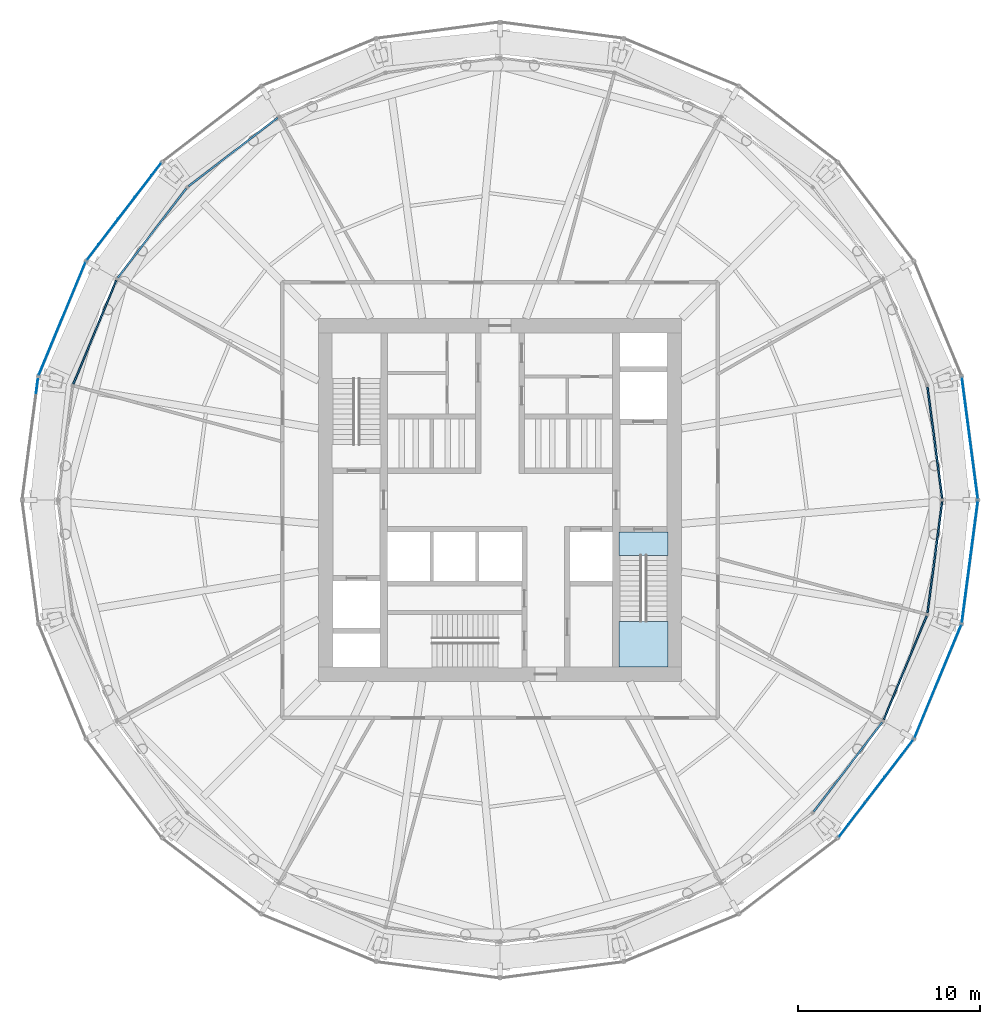
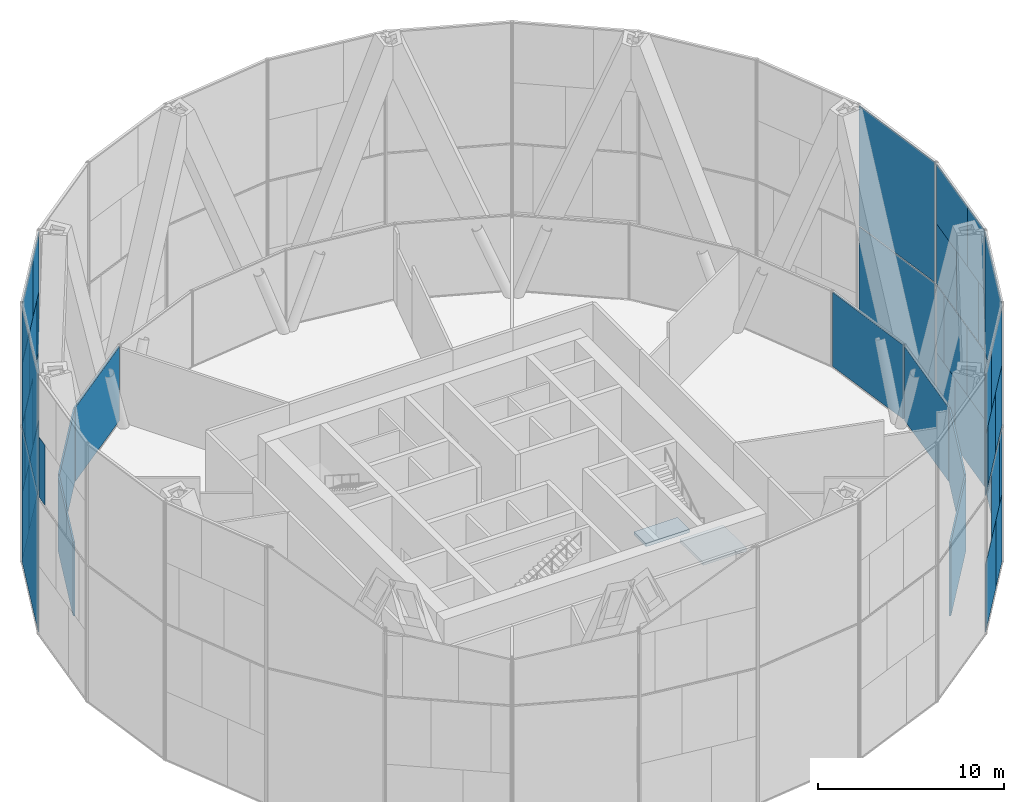
# One storey, part 11 of 16: 43 plates, 2 slabs, 15 elements without a shape of their own.
"""IFC4 building model written with IfcOpenShell, lengths in metres."""

from ifc_helpers import new_model, si_unit, direction, frame, origin, origin_2d, place, context, subcontext, project, spatial, polyline, rectangle, outline, extrude, material, layer, layer_set, type_object, element, aggregate, save


model = new_model("IFC4")

# Units and contexts
model_context = context("Model", 3, precision=1e-05, world=origin(), true_north=direction((0.0, 1.0)))
body_context = subcontext(model_context, "Body", "Model", "MODEL_VIEW")
ifc_project = project(units=[si_unit("LENGTHUNIT", "METRE"), si_unit("AREAUNIT", "SQUARE_METRE"), si_unit("VOLUMEUNIT", "CUBIC_METRE"), si_unit("PLANEANGLEUNIT", "RADIAN"), si_unit("MASSUNIT", "GRAM", prefix="KILO")], contexts=[model_context])

# Site, building, storey
site_placement = place(None, origin())
site = spatial("IfcSite", under=ifc_project, at=site_placement, CompositionType="ELEMENT")
building_placement = place(site_placement, origin())
building = spatial("IfcBuilding", under=site, at=building_placement, Name="Golbaran Civic Tower", CompositionType="ELEMENT")
storey_placement = place(building_placement, frame((0.0, 0.0, 85.0)))
storey = spatial("IfcBuildingStorey", under=building, at=storey_placement, Name="L20", CompositionType="ELEMENT", Elevation=85.0)

# Curtain wall, plates
ifc_material_1 = material(Name="Aluminium and glass", Category="aluminium")
curtain_wall_type_1 = type_object("IfcCurtainWallType", Name="OUTER SKIN TERRACOTTA SCREEN", PredefinedType="NOTDEFINED", material=ifc_material_1)
curtain_wall_1_placement = place(storey_placement, origin())
curtain_wall_1 = element("IfcCurtainWall", 1, at=curtain_wall_1_placement, inside=storey, type_object=curtain_wall_type_1, Name="Outer skin L20 facet 10 CW3", ObjectType="OUTER SKIN", PredefinedType="USERDEFINED")
ifc_material_2 = material(Name="Clear laminated glass", Category="glass")
ifc_layer_1 = layer(ifc_material_2, 0.0400390625, Name="Clear laminated glass")
ifc_layer_set_1 = layer_set([ifc_layer_1], Name="Clear laminated glass")
plate_type_1 = type_object("IfcPlateType", Name="OUTER SKIN CLEAR GLASS PANEL", PredefinedType="CURTAIN_PANEL", material=ifc_layer_set_1)
plate_1_placement = place(storey_placement, frame((-19.928466796875, 16.911865234375, -0.6298828125), z_axis=(0.0, 0.0, 1.0), x_axis=(-0.608761429078, -0.793353340238, 0.0)))
plate_1 = element("IfcPlate", 2, at=plate_1_placement, type_object=plate_type_1, Name="CW3 panel 1.1 part 1", PredefinedType="CURTAIN_PANEL", context=body_context, shape_type="SweptSolid", body=[
    extrude(rectangle(XDim=4.14306640625, YDim=0.0400390625, at=origin_2d()), origin(), (0.0, 0.0, 1.0), 4.43994140625),
])
plate_2_placement = place(storey_placement, frame((-19.4033203125, 17.5966796875, 3.81005859375), z_axis=(0.0, 0.0, 1.0), x_axis=(-0.608761429078, -0.793353340238, 0.0)))
plate_2 = element("IfcPlate", 3, at=plate_2_placement, type_object=plate_type_1, Name="CW3 panel 1.1 part 3", PredefinedType="CURTAIN_PANEL", context=body_context, shape_type="SweptSolid", body=[
    extrude(rectangle(XDim=2.4169921875, YDim=0.0400390625, at=origin_2d()), origin(), (0.0, 0.0, 1.0), 4.43994140625),
])
plate_3_placement = place(storey_placement, frame((-22.4296875, 13.652587890625, 3.81005859375), z_axis=(0.0, 0.0, 1.0), x_axis=(-0.608761429078, -0.793353340238, 0.0)))
plate_3 = element("IfcPlate", 4, at=plate_3_placement, type_object=plate_type_1, Name="CW3 panel 1.1 part 5", PredefinedType="CURTAIN_PANEL", context=body_context, shape_type="SweptSolid", body=[
    extrude(rectangle(XDim=1.06787109375, YDim=0.0400390625, at=origin_2d()), origin(), (0.0, 0.0, 1.0), 4.43994140625),
])
plate_4_placement = place(storey_placement, frame((-18.927490234375, 18.216552734375, 8.330078125), z_axis=(0.0, 0.0, 1.0), x_axis=(-0.608761429078, -0.793353340238, 0.0)))
plate_4 = element("IfcPlate", 5, at=plate_4_placement, type_object=plate_type_1, Name="CW3 panel 1.2 part 1", PredefinedType="CURTAIN_PANEL", context=body_context, shape_type="SweptSolid", body=[
    extrude(rectangle(XDim=0.85400390625, YDim=0.0400390625, at=origin_2d()), origin(), (0.0, 0.0, 1.0), 3.93994140625),
])
plate_5_placement = place(storey_placement, frame((-21.89501953125, 14.34912109375, 8.330078125), z_axis=(0.0, 0.0, 1.0), x_axis=(-0.608761429078, -0.793353340238, 0.0)))
plate_5 = element("IfcPlate", 6, at=plate_5_placement, type_object=plate_type_1, Name="CW3 panel 1.2 part 3", PredefinedType="CURTAIN_PANEL", context=body_context, shape_type="SweptSolid", body=[
    extrude(rectangle(XDim=2.82373046875, YDim=0.0400390625, at=origin_2d()), origin(), (0.0, 0.0, 1.0), 3.93994140625),
])
plate_6_placement = place(storey_placement, frame((-21.429443359375, 14.9560546875, 12.27001953125), z_axis=(0.0, 0.0, 1.0), x_axis=(-0.608761429078, -0.793353340238, 0.0)))
plate_6 = element("IfcPlate", 7, at=plate_6_placement, type_object=plate_type_1, Name="CW3 panel 1.2 part 5", PredefinedType="CURTAIN_PANEL", context=body_context, shape_type="SweptSolid", body=[
    extrude(rectangle(XDim=4.353759765625, YDim=0.0400390625, at=origin_2d()), origin(), (0.0, 0.0, 1.0), 3.93994140625),
])

# Curtain wall, plate
curtain_wall_2_placement = place(storey_placement, origin())
curtain_wall_2 = element("IfcCurtainWall", 8, at=curtain_wall_2_placement, inside=storey, type_object=curtain_wall_type_1, Name="Outer skin L20 facet 12 CW3", ObjectType="OUTER SKIN", PredefinedType="USERDEFINED")
plate_7_placement = place(storey_placement, frame((-25.5, 6.312255859375, 8.330078125), z_axis=(0.0, 0.0, 1.0), x_axis=(-0.13052619222, -0.991444861374, 0.0)))
plate_7 = element("IfcPlate", 9, at=plate_7_placement, type_object=plate_type_1, Name="CW3 panel 1.2 part 1", PredefinedType="CURTAIN_PANEL", context=body_context, shape_type="SweptSolid", body=[
    extrude(rectangle(XDim=0.85400390625, YDim=0.0400390625, at=origin_2d()), origin(), (0.0, 0.0, 1.0), 3.93994140625),
])
aggregate(curtain_wall_2, [plate_7])

# Curtain wall, plates
curtain_wall_3_placement = place(storey_placement, origin())
curtain_wall_3 = element("IfcCurtainWall", 10, at=curtain_wall_3_placement, inside=storey, type_object=curtain_wall_type_1, Name="Outer skin L20 facet 22 CW3", ObjectType="OUTER SKIN", PredefinedType="USERDEFINED")
plate_8_placement = place(storey_placement, frame((19.928466796875, -16.911865234375, -0.6298828125), z_axis=(0.0, 0.0, 1.0), x_axis=(0.608761429078, 0.793353340238, 0.0)))
plate_8 = element("IfcPlate", 11, at=plate_8_placement, type_object=plate_type_1, Name="CW3 panel 1.1 part 1", PredefinedType="CURTAIN_PANEL", context=body_context, shape_type="SweptSolid", body=[
    extrude(rectangle(XDim=4.14306640625, YDim=0.0400390625, at=origin_2d()), origin(), (0.0, 0.0, 1.0), 4.43994140625),
])
plate_9_placement = place(storey_placement, frame((22.4296875, -13.652587890625, 3.81005859375), z_axis=(0.0, 0.0, 1.0), x_axis=(0.608761429078, 0.793353340238, 0.0)))
plate_9 = element("IfcPlate", 12, at=plate_9_placement, type_object=plate_type_1, Name="CW3 panel 1.1 part 5", PredefinedType="CURTAIN_PANEL", context=body_context, shape_type="SweptSolid", body=[
    extrude(rectangle(XDim=1.06787109375, YDim=0.0400390625, at=origin_2d()), origin(), (0.0, 0.0, 1.0), 4.43994140625),
])
plate_10_placement = place(storey_placement, frame((18.927490234375, -18.216552734375, 8.330078125), z_axis=(0.0, 0.0, 1.0), x_axis=(0.608761429078, 0.793353340238, 0.0)))
plate_10 = element("IfcPlate", 13, at=plate_10_placement, type_object=plate_type_1, Name="CW3 panel 1.2 part 1", PredefinedType="CURTAIN_PANEL", context=body_context, shape_type="SweptSolid", body=[
    extrude(rectangle(XDim=0.85400390625, YDim=0.0400390625, at=origin_2d()), origin(), (0.0, 0.0, 1.0), 3.93994140625),
])
plate_11_placement = place(storey_placement, frame((21.89501953125, -14.34912109375, 8.330078125), z_axis=(0.0, 0.0, 1.0), x_axis=(0.608761429078, 0.793353340238, 0.0)))
plate_11 = element("IfcPlate", 14, at=plate_11_placement, type_object=plate_type_1, Name="CW3 panel 1.2 part 3", PredefinedType="CURTAIN_PANEL", context=body_context, shape_type="SweptSolid", body=[
    extrude(rectangle(XDim=2.82373046875, YDim=0.0400390625, at=origin_2d()), origin(), (0.0, 0.0, 1.0), 3.93994140625),
])
plate_12_placement = place(storey_placement, frame((21.429443359375, -14.9560546875, 12.27001953125), z_axis=(0.0, 0.0, 1.0), x_axis=(0.608761429078, 0.793353340238, 0.0)))
plate_12 = element("IfcPlate", 15, at=plate_12_placement, type_object=plate_type_1, Name="CW3 panel 1.2 part 5", PredefinedType="CURTAIN_PANEL", context=body_context, shape_type="SweptSolid", body=[
    extrude(rectangle(XDim=4.353759765625, YDim=0.0400390625, at=origin_2d()), origin(), (0.0, 0.0, 1.0), 3.93994140625),
])

curtain_wall_4_placement = place(storey_placement, origin())
curtain_wall_4 = element("IfcCurtainWall", 16, at=curtain_wall_4_placement, inside=storey, type_object=curtain_wall_type_1, Name="Outer skin L20 facet 24 CW3", ObjectType="OUTER SKIN", PredefinedType="USERDEFINED")
plate_13_placement = place(storey_placement, frame((25.714599609375, -4.681884765625, -0.6298828125), z_axis=(0.0, 0.0, 1.0), x_axis=(0.13052619222, 0.991444861374, 0.0)))
plate_13 = element("IfcPlate", 17, at=plate_13_placement, type_object=plate_type_1, Name="CW3 panel 1.1 part 1", PredefinedType="CURTAIN_PANEL", context=body_context, shape_type="SweptSolid", body=[
    extrude(rectangle(XDim=4.14306640625, YDim=0.0400390625, at=origin_2d()), origin(), (0.0, 0.0, 1.0), 4.43994140625),
])
plate_14_placement = place(storey_placement, frame((25.60205078125, -5.53759765625, 3.81005859375), z_axis=(0.0, 0.0, 1.0), x_axis=(0.13052619222, 0.991444861374, 0.0)))
plate_14 = element("IfcPlate", 18, at=plate_14_placement, type_object=plate_type_1, Name="CW3 panel 1.1 part 3", PredefinedType="CURTAIN_PANEL", context=body_context, shape_type="SweptSolid", body=[
    extrude(rectangle(XDim=2.4169921875, YDim=0.0400390625, at=origin_2d()), origin(), (0.0, 0.0, 1.0), 4.43994140625),
])
plate_15_placement = place(storey_placement, frame((26.2509765625, -0.608642578125, 3.81005859375), z_axis=(0.0, 0.0, 1.0), x_axis=(0.13052619222, 0.991444861374, 0.0)))
plate_15 = element("IfcPlate", 19, at=plate_15_placement, type_object=plate_type_1, Name="CW3 panel 1.1 part 5", PredefinedType="CURTAIN_PANEL", context=body_context, shape_type="SweptSolid", body=[
    extrude(rectangle(XDim=1.06787109375, YDim=0.0400390625, at=origin_2d()), origin(), (0.0, 0.0, 1.0), 4.43994140625),
])
plate_16_placement = place(storey_placement, frame((25.5, -6.312255859375, 8.330078125), z_axis=(0.0, 0.0, 1.0), x_axis=(0.13052619222, 0.991444861374, 0.0)))
plate_16 = element("IfcPlate", 20, at=plate_16_placement, type_object=plate_type_1, Name="CW3 panel 1.2 part 1", PredefinedType="CURTAIN_PANEL", context=body_context, shape_type="SweptSolid", body=[
    extrude(rectangle(XDim=0.85400390625, YDim=0.0400390625, at=origin_2d()), origin(), (0.0, 0.0, 1.0), 3.93994140625),
])
plate_17_placement = place(storey_placement, frame((26.13623046875, -1.47900390625, 8.330078125), z_axis=(0.0, 0.0, 1.0), x_axis=(0.13052619222, 0.991444861374, 0.0)))
plate_17 = element("IfcPlate", 21, at=plate_17_placement, type_object=plate_type_1, Name="CW3 panel 1.2 part 3", PredefinedType="CURTAIN_PANEL", context=body_context, shape_type="SweptSolid", body=[
    extrude(rectangle(XDim=2.82373046875, YDim=0.0400390625, at=origin_2d()), origin(), (0.0, 0.0, 1.0), 3.93994140625),
])
plate_18_placement = place(storey_placement, frame((26.036376953125, -2.237548828125, 12.27001953125), z_axis=(0.0, 0.0, 1.0), x_axis=(0.13052619222, 0.991444861374, 0.0)))
plate_18 = element("IfcPlate", 22, at=plate_18_placement, type_object=plate_type_1, Name="CW3 panel 1.2 part 5", PredefinedType="CURTAIN_PANEL", context=body_context, shape_type="SweptSolid", body=[
    extrude(rectangle(XDim=4.353759765625, YDim=0.0400390625, at=origin_2d()), origin(), (0.0, 0.0, 1.0), 3.93994140625),
])

# Plate
ifc_material_3 = material(Name="Terracotta baguette screen", Category="masonry")
ifc_layer_2 = layer(ifc_material_3, 0.0400390625, Name="Terracotta baguette screen")
ifc_layer_set_2 = layer_set([ifc_layer_2], Name="Terracotta baguette screen")
plate_type_2 = type_object("IfcPlateType", Name="OUTER SKIN TERRACOTTA INFILL PANEL", PredefinedType="CURTAIN_PANEL", material=ifc_layer_set_2)
plate_19_placement = place(storey_placement, frame((-21.97216796875, 14.248779296875, -0.6298828125), z_axis=(0.0, 0.0, 1.0), x_axis=(-0.608761429078, -0.793353340238, 0.0)))
plate_19 = element("IfcPlate", 23, at=plate_19_placement, type_object=plate_type_2, Name="CW3 infill panel 1.1 part 2", PredefinedType="CURTAIN_PANEL", context=body_context, shape_type="SweptSolid", body=[
    extrude(rectangle(XDim=2.57080078125, YDim=0.0400390625, at=origin_2d()), origin(), (0.0, 0.0, 1.0), 4.43994140625),
])

plate_20_placement = place(storey_placement, frame((-21.121826171875, 15.35693359375, 3.81005859375), z_axis=(0.0, 0.0, 1.0), x_axis=(-0.608761429078, -0.793353340238, 0.0)))
plate_20 = element("IfcPlate", 24, at=plate_20_placement, type_object=plate_type_2, Name="CW3 infill panel 1.1 part 4", PredefinedType="CURTAIN_PANEL", context=body_context, shape_type="SweptSolid", body=[
    extrude(rectangle(XDim=3.22900390625, YDim=0.0400390625, at=origin_2d()), origin(), (0.0, 0.0, 1.0), 4.43994140625),
])

plate_21_placement = place(storey_placement, frame((-20.111572265625, 16.673583984375, 8.330078125), z_axis=(0.0, 0.0, 1.0), x_axis=(-0.608761429078, -0.793353340238, 0.0)))
plate_21 = element("IfcPlate", 25, at=plate_21_placement, type_object=plate_type_2, Name="CW3 infill panel 1.2 part 2", PredefinedType="CURTAIN_PANEL", context=body_context, shape_type="SweptSolid", body=[
    extrude(rectangle(XDim=3.035888671875, YDim=0.0400390625, at=origin_2d()), origin(), (0.0, 0.0, 1.0), 3.93994140625),
])

plate_22_placement = place(storey_placement, frame((-19.385986328125, 17.619140625, 12.27001953125), z_axis=(0.0, 0.0, 1.0), x_axis=(-0.608761429078, -0.793353340238, 0.0)))
plate_22 = element("IfcPlate", 26, at=plate_22_placement, type_object=plate_type_2, Name="CW3 infill panel 1.2 part 4", PredefinedType="CURTAIN_PANEL", context=body_context, shape_type="SweptSolid", body=[
    extrude(rectangle(XDim=2.360107421875, YDim=0.0400390625, at=origin_2d()), origin(), (0.0, 0.0, 1.0), 3.93994140625),
])

aggregate(curtain_wall_1, [plate_1, plate_19, plate_2, plate_20, plate_3, plate_4, plate_21, plate_5, plate_22, plate_6])

plate_23_placement = place(storey_placement, frame((21.97216796875, -14.248779296875, -0.6298828125), z_axis=(0.0, 0.0, 1.0), x_axis=(0.608761429078, 0.793353340238, 0.0)))
plate_23 = element("IfcPlate", 27, at=plate_23_placement, type_object=plate_type_2, Name="CW3 infill panel 1.1 part 2", PredefinedType="CURTAIN_PANEL", context=body_context, shape_type="SweptSolid", body=[
    extrude(rectangle(XDim=2.57080078125, YDim=0.0400390625, at=origin_2d()), origin(), (0.0, 0.0, 1.0), 4.43994140625),
])

plate_24_placement = place(storey_placement, frame((21.121826171875, -15.35693359375, 3.81005859375), z_axis=(0.0, 0.0, 1.0), x_axis=(0.608761429078, 0.793353340238, 0.0)))
plate_24 = element("IfcPlate", 28, at=plate_24_placement, type_object=plate_type_2, Name="CW3 infill panel 1.1 part 4", PredefinedType="CURTAIN_PANEL", context=body_context, shape_type="SweptSolid", body=[
    extrude(rectangle(XDim=3.22900390625, YDim=0.0400390625, at=origin_2d()), origin(), (0.0, 0.0, 1.0), 4.43994140625),
])

plate_25_placement = place(storey_placement, frame((20.111572265625, -16.673583984375, 8.330078125), z_axis=(0.0, 0.0, 1.0), x_axis=(0.608761429078, 0.793353340238, 0.0)))
plate_25 = element("IfcPlate", 29, at=plate_25_placement, type_object=plate_type_2, Name="CW3 infill panel 1.2 part 2", PredefinedType="CURTAIN_PANEL", context=body_context, shape_type="SweptSolid", body=[
    extrude(rectangle(XDim=3.035888671875, YDim=0.0400390625, at=origin_2d()), origin(), (0.0, 0.0, 1.0), 3.93994140625),
])

plate_26_placement = place(storey_placement, frame((19.385986328125, -17.619140625, 12.27001953125), z_axis=(0.0, 0.0, 1.0), x_axis=(0.608761429078, 0.793353340238, 0.0)))
plate_26 = element("IfcPlate", 30, at=plate_26_placement, type_object=plate_type_2, Name="CW3 infill panel 1.2 part 4", PredefinedType="CURTAIN_PANEL", context=body_context, shape_type="SweptSolid", body=[
    extrude(rectangle(XDim=2.360107421875, YDim=0.0400390625, at=origin_2d()), origin(), (0.0, 0.0, 1.0), 3.93994140625),
])

aggregate(curtain_wall_3, [plate_8, plate_23, plate_24, plate_9, plate_10, plate_25, plate_11, plate_26, plate_12])

plate_27_placement = place(storey_placement, frame((26.15283203125, -1.353759765625, -0.6298828125), z_axis=(0.0, 0.0, 1.0), x_axis=(0.13052619222, 0.991444861374, 0.0)))
plate_27 = element("IfcPlate", 31, at=plate_27_placement, type_object=plate_type_2, Name="CW3 infill panel 1.1 part 2", PredefinedType="CURTAIN_PANEL", context=body_context, shape_type="SweptSolid", body=[
    extrude(rectangle(XDim=2.57080078125, YDim=0.0400390625, at=origin_2d()), origin(), (0.0, 0.0, 1.0), 4.43994140625),
])

plate_28_placement = place(storey_placement, frame((25.970458984375, -2.738525390625, 3.81005859375), z_axis=(0.0, 0.0, 1.0), x_axis=(0.13052619222, 0.991444861374, 0.0)))
plate_28 = element("IfcPlate", 32, at=plate_28_placement, type_object=plate_type_2, Name="CW3 infill panel 1.1 part 4", PredefinedType="CURTAIN_PANEL", context=body_context, shape_type="SweptSolid", body=[
    extrude(rectangle(XDim=3.22900390625, YDim=0.0400390625, at=origin_2d()), origin(), (0.0, 0.0, 1.0), 4.43994140625),
])

plate_29_placement = place(storey_placement, frame((25.75390625, -4.384033203125, 8.330078125), z_axis=(0.0, 0.0, 1.0), x_axis=(0.13052619222, 0.991444861374, 0.0)))
plate_29 = element("IfcPlate", 33, at=plate_29_placement, type_object=plate_type_2, Name="CW3 infill panel 1.2 part 2", PredefinedType="CURTAIN_PANEL", context=body_context, shape_type="SweptSolid", body=[
    extrude(rectangle(XDim=3.035888671875, YDim=0.0400390625, at=origin_2d()), origin(), (0.0, 0.0, 1.0), 3.93994140625),
])

plate_30_placement = place(storey_placement, frame((25.59814453125, -5.565673828125, 12.27001953125), z_axis=(0.0, 0.0, 1.0), x_axis=(0.13052619222, 0.991444861374, 0.0)))
plate_30 = element("IfcPlate", 34, at=plate_30_placement, type_object=plate_type_2, Name="CW3 infill panel 1.2 part 4", PredefinedType="CURTAIN_PANEL", context=body_context, shape_type="SweptSolid", body=[
    extrude(rectangle(XDim=2.360107421875, YDim=0.0400390625, at=origin_2d()), origin(), (0.0, 0.0, 1.0), 3.93994140625),
])

aggregate(curtain_wall_4, [plate_13, plate_27, plate_14, plate_28, plate_15, plate_16, plate_29, plate_17, plate_30, plate_18])

# Curtain wall, plates
curtain_wall_5_placement = place(storey_placement, origin())
curtain_wall_5 = element("IfcCurtainWall", 35, at=curtain_wall_5_placement, inside=storey, type_object=curtain_wall_type_1, Name="Outer skin L20 facet 1 CW3", ObjectType="OUTER SKIN", PredefinedType="USERDEFINED")
ifc_layer_3 = layer(ifc_material_3, 0.0400390625, Name="Terracotta baguette screen")
ifc_layer_set_3 = layer_set([ifc_layer_3], Name="Terracotta baguette screen")
plate_type_3 = type_object("IfcPlateType", Name="OUTER SKIN TERRACOTTA SCREEN PANEL", PredefinedType="CURTAIN_PANEL", material=ifc_layer_set_3)
plate_31_placement = place(storey_placement, frame((25.88232421875, 3.407470703125, -0.6298828125), z_axis=(0.0, 0.0, 1.0), x_axis=(-0.13052619222, 0.991444861374, 0.0)))
plate_31 = element("IfcPlate", 36, at=plate_31_placement, type_object=plate_type_3, Name="CW3 terracotta screen panel 1.1", PredefinedType="CURTAIN_PANEL", context=body_context, shape_type="SweptSolid", body=[
    extrude(rectangle(XDim=6.7138671875, YDim=0.0400390625, at=origin_2d()), origin(), (0.0, 0.0, 1.0), 8.8798828125),
])
plate_32_placement = place(storey_placement, frame((25.88232421875, 3.407470703125, 8.330078125), z_axis=(0.0, 0.0, 1.0), x_axis=(-0.13052619222, 0.991444861374, 0.0)))
plate_32 = element("IfcPlate", 37, at=plate_32_placement, type_object=plate_type_3, Name="CW3 terracotta screen panel 1.2", PredefinedType="CURTAIN_PANEL", context=body_context, shape_type="SweptSolid", body=[
    extrude(rectangle(XDim=6.7138671875, YDim=0.0400390625, at=origin_2d()), origin(), (0.0, 0.0, 1.0), 7.8798828125),
])
aggregate(curtain_wall_5, [plate_31, plate_32])

curtain_wall_6_placement = place(storey_placement, origin())
curtain_wall_6 = element("IfcCurtainWall", 38, at=curtain_wall_6_placement, inside=storey, type_object=curtain_wall_type_1, Name="Outer skin L20 facet 11 CW3", ObjectType="OUTER SKIN", PredefinedType="USERDEFINED")
plate_33_placement = place(storey_placement, frame((-24.11865234375, 9.990234375, -0.6298828125), z_axis=(0.0, 0.0, 1.0), x_axis=(-0.382683432397, -0.923879532498, 0.0)))
plate_33 = element("IfcPlate", 39, at=plate_33_placement, type_object=plate_type_3, Name="CW3 terracotta screen panel 1.1", PredefinedType="CURTAIN_PANEL", context=body_context, shape_type="SweptSolid", body=[
    extrude(rectangle(XDim=6.7138671875, YDim=0.0400390625, at=origin_2d()), origin(), (0.0, 0.0, 1.0), 8.8798828125),
])
plate_34_placement = place(storey_placement, frame((-24.11865234375, 9.990234375, 8.330078125), z_axis=(0.0, 0.0, 1.0), x_axis=(-0.382683432397, -0.923879532498, 0.0)))
plate_34 = element("IfcPlate", 40, at=plate_34_placement, type_object=plate_type_3, Name="CW3 terracotta screen panel 1.2", PredefinedType="CURTAIN_PANEL", context=body_context, shape_type="SweptSolid", body=[
    extrude(rectangle(XDim=6.7138671875, YDim=0.0400390625, at=origin_2d()), origin(), (0.0, 0.0, 1.0), 7.8798828125),
])
aggregate(curtain_wall_6, [plate_33, plate_34])

curtain_wall_7_placement = place(storey_placement, origin())
curtain_wall_7 = element("IfcCurtainWall", 41, at=curtain_wall_7_placement, inside=storey, type_object=curtain_wall_type_1, Name="Outer skin L20 facet 23 CW3", ObjectType="OUTER SKIN", PredefinedType="USERDEFINED")
plate_35_placement = place(storey_placement, frame((24.11865234375, -9.990234375, -0.6298828125), z_axis=(0.0, 0.0, 1.0), x_axis=(0.382683432397, 0.923879532498, 0.0)))
plate_35 = element("IfcPlate", 42, at=plate_35_placement, type_object=plate_type_3, Name="CW3 terracotta screen panel 1.1", PredefinedType="CURTAIN_PANEL", context=body_context, shape_type="SweptSolid", body=[
    extrude(rectangle(XDim=6.7138671875, YDim=0.0400390625, at=origin_2d()), origin(), (0.0, 0.0, 1.0), 8.8798828125),
])
plate_36_placement = place(storey_placement, frame((24.11865234375, -9.990234375, 8.330078125), z_axis=(0.0, 0.0, 1.0), x_axis=(0.382683432397, 0.923879532498, 0.0)))
plate_36 = element("IfcPlate", 43, at=plate_36_placement, type_object=plate_type_3, Name="CW3 terracotta screen panel 1.2", PredefinedType="CURTAIN_PANEL", context=body_context, shape_type="SweptSolid", body=[
    extrude(rectangle(XDim=6.7138671875, YDim=0.0400390625, at=origin_2d()), origin(), (0.0, 0.0, 1.0), 7.8798828125),
])
aggregate(curtain_wall_7, [plate_35, plate_36])

# Curtain wall, plate
curtain_wall_type_2 = type_object("IfcCurtainWallType", Name="PLANT FLOOR LOUVRE WALL", PredefinedType="NOTDEFINED", material=ifc_material_1)
curtain_wall_8_placement = place(storey_placement, origin())
curtain_wall_8 = element("IfcCurtainWall", 44, at=curtain_wall_8_placement, inside=storey, type_object=curtain_wall_type_2, Name="Inner skin L20 facet 1 CW6", ObjectType="PLANT LOUVRE WALL", PredefinedType="USERDEFINED")
ifc_material_4 = material(Name="Aluminium louvre", Category="aluminium")
ifc_layer_4 = layer(ifc_material_4, 0.10009765625, Name="Aluminium louvre")
ifc_layer_set_4 = layer_set([ifc_layer_4], Name="Aluminium louvre")
plate_type_4 = type_object("IfcPlateType", Name="PLANT FLOOR LOUVRE WALL LOUVRE PANEL", PredefinedType="CURTAIN_PANEL", material=ifc_layer_set_4)
plate_37_placement = place(storey_placement, frame((23.950927734375, 3.153076171875, 0.06982421875), z_axis=(0.0, 0.0, 1.0), x_axis=(-0.130526192272, 0.991444861367, 0.0)))
plate_37 = element("IfcPlate", 45, at=plate_37_placement, type_object=plate_type_4, Name="CW6 panel 1.1", PredefinedType="CURTAIN_PANEL", context=body_context, shape_type="SweptSolid", body=[
    extrude(rectangle(XDim=6.220703125, YDim=0.10009765625, at=origin_2d()), origin(), (0.0, 0.0, 1.0), 4.860107421875),
])
aggregate(curtain_wall_8, [plate_37])

curtain_wall_9_placement = place(storey_placement, origin())
curtain_wall_9 = element("IfcCurtainWall", 46, at=curtain_wall_9_placement, inside=storey, type_object=curtain_wall_type_2, Name="Inner skin L20 facet 9 CW6", ObjectType="PLANT LOUVRE WALL", PredefinedType="USERDEFINED")
plate_38_placement = place(storey_placement, frame((-14.706298828125, 19.16552734375, 0.06982421875), z_axis=(0.0, 0.0, 1.0), x_axis=(-0.793353340206, -0.608761429119, 0.0)))
plate_38 = element("IfcPlate", 47, at=plate_38_placement, type_object=plate_type_4, Name="CW6 panel 1.1", PredefinedType="CURTAIN_PANEL", context=body_context, shape_type="SweptSolid", body=[
    extrude(rectangle(XDim=6.220703125, YDim=0.10009765625, at=origin_2d()), origin(), (0.0, 0.0, 1.0), 4.860107421875),
])
aggregate(curtain_wall_9, [plate_38])

curtain_wall_10_placement = place(storey_placement, origin())
curtain_wall_10 = element("IfcCurtainWall", 48, at=curtain_wall_10_placement, inside=storey, type_object=curtain_wall_type_2, Name="Inner skin L20 facet 10 CW6", ObjectType="PLANT LOUVRE WALL", PredefinedType="USERDEFINED")
plate_39_placement = place(storey_placement, frame((-19.16552734375, 14.706298828125, 0.06982421875), z_axis=(0.0, 0.0, 1.0), x_axis=(-0.608761429119, -0.793353340206, 0.0)))
plate_39 = element("IfcPlate", 49, at=plate_39_placement, type_object=plate_type_4, Name="CW6 panel 1.1", PredefinedType="CURTAIN_PANEL", context=body_context, shape_type="SweptSolid", body=[
    extrude(rectangle(XDim=6.220703125, YDim=0.10009765625, at=origin_2d()), origin(), (0.0, 0.0, 1.0), 4.860107421875),
])
aggregate(curtain_wall_10, [plate_39])

curtain_wall_11_placement = place(storey_placement, origin())
curtain_wall_11 = element("IfcCurtainWall", 50, at=curtain_wall_11_placement, inside=storey, type_object=curtain_wall_type_2, Name="Inner skin L20 facet 11 CW6", ObjectType="PLANT LOUVRE WALL", PredefinedType="USERDEFINED")
plate_40_placement = place(storey_placement, frame((-22.318603515625, 9.24462890625, 0.06982421875), z_axis=(0.0, 0.0, 1.0), x_axis=(-0.382683432268, -0.923879532551, 0.0)))
plate_40 = element("IfcPlate", 51, at=plate_40_placement, type_object=plate_type_4, Name="CW6 panel 1.1", PredefinedType="CURTAIN_PANEL", context=body_context, shape_type="SweptSolid", body=[
    extrude(rectangle(XDim=6.220703125, YDim=0.10009765625, at=origin_2d()), origin(), (0.0, 0.0, 1.0), 4.860107421875),
])
aggregate(curtain_wall_11, [plate_40])

curtain_wall_12_placement = place(storey_placement, origin())
curtain_wall_12 = element("IfcCurtainWall", 52, at=curtain_wall_12_placement, inside=storey, type_object=curtain_wall_type_2, Name="Inner skin L20 facet 22 CW6", ObjectType="PLANT LOUVRE WALL", PredefinedType="USERDEFINED")
plate_41_placement = place(storey_placement, frame((19.16552734375, -14.706298828125, 0.06982421875), z_axis=(0.0, 0.0, 1.0), x_axis=(0.608761429119, 0.793353340206, 0.0)))
plate_41 = element("IfcPlate", 53, at=plate_41_placement, type_object=plate_type_4, Name="CW6 panel 1.1", PredefinedType="CURTAIN_PANEL", context=body_context, shape_type="SweptSolid", body=[
    extrude(rectangle(XDim=6.220703125, YDim=0.10009765625, at=origin_2d()), origin(), (0.0, 0.0, 1.0), 4.860107421875),
])
aggregate(curtain_wall_12, [plate_41])

curtain_wall_13_placement = place(storey_placement, origin())
curtain_wall_13 = element("IfcCurtainWall", 54, at=curtain_wall_13_placement, inside=storey, type_object=curtain_wall_type_2, Name="Inner skin L20 facet 23 CW6", ObjectType="PLANT LOUVRE WALL", PredefinedType="USERDEFINED")
plate_42_placement = place(storey_placement, frame((22.318603515625, -9.24462890625, 0.06982421875), z_axis=(0.0, 0.0, 1.0), x_axis=(0.382683432268, 0.923879532551, 0.0)))
plate_42 = element("IfcPlate", 55, at=plate_42_placement, type_object=plate_type_4, Name="CW6 panel 1.1", PredefinedType="CURTAIN_PANEL", context=body_context, shape_type="SweptSolid", body=[
    extrude(rectangle(XDim=6.220703125, YDim=0.10009765625, at=origin_2d()), origin(), (0.0, 0.0, 1.0), 4.860107421875),
])
aggregate(curtain_wall_13, [plate_42])

curtain_wall_14_placement = place(storey_placement, origin())
curtain_wall_14 = element("IfcCurtainWall", 56, at=curtain_wall_14_placement, inside=storey, type_object=curtain_wall_type_2, Name="Inner skin L20 facet 24 CW6", ObjectType="PLANT LOUVRE WALL", PredefinedType="USERDEFINED")
plate_43_placement = place(storey_placement, frame((23.950927734375, -3.153076171875, 0.06982421875), z_axis=(0.0, 0.0, 1.0), x_axis=(0.130526192272, 0.991444861367, 0.0)))
plate_43 = element("IfcPlate", 57, at=plate_43_placement, type_object=plate_type_4, Name="CW6 panel 1.1", PredefinedType="CURTAIN_PANEL", context=body_context, shape_type="SweptSolid", body=[
    extrude(rectangle(XDim=6.220703125, YDim=0.10009765625, at=origin_2d()), origin(), (0.0, 0.0, 1.0), 4.860107421875),
])
aggregate(curtain_wall_14, [plate_43])

# Stair, slab
ifc_material_5 = material(Name="Concrete C35/45", Category="concrete")
stair_type = type_object("IfcStairType", Name="EXIT STAIR 2600 x 7450, 5000 RISE", PredefinedType="HALF_TURN_STAIR", material=ifc_material_5)
stair_placement = place(storey_placement, origin())
stair = element("IfcStair", 58, at=stair_placement, inside=storey, type_object=stair_type, Name="Stair S2 L20", PredefinedType="HALF_TURN_STAIR")
ifc_layer_5 = layer(ifc_material_5, 0.199951171875, Name="Concrete C35/45")
ifc_layer_set_5 = layer_set([ifc_layer_5], Name="Concrete C35/45")
slab_type = type_object("IfcSlabType", Name="STAIR LANDING 200", PredefinedType="LANDING", material=ifc_layer_set_5)
slab_1_placement = place(storey_placement, frame((0.0, 0.0, 2.300048828125)))
slab_1 = element("IfcSlab", 59, at=slab_1_placement, type_object=slab_type, Name="ST26074-50 landing 1", PredefinedType="LANDING", context=body_context, shape_type="SweptSolid", body=[
    extrude(outline(polyline([(9.25, -6.68505859375), (9.25, -9.199951171875), (6.550048828125, -9.199951171875), (6.550048828125, -6.68505859375), (9.25, -6.68505859375)])), origin(), (0.0, 0.0, 1.0), 0.199951171875),
])
aggregate(stair, [slab_1])

# Slab
slab_2_placement = place(storey_placement, frame((0.0, 0.0, -0.199951171875)))
element("IfcSlab", 60, at=slab_2_placement, inside=storey, type_object=slab_type, Name="Stair S2 floor landing L20", PredefinedType="LANDING", context=body_context, shape_type="SweptSolid", body=[
    extrude(outline(polyline([(9.25, -1.75), (9.25, -3.054931640625), (6.550048828125, -3.054931640625), (6.550048828125, -1.75), (9.25, -1.75)])), origin(), (0.0, 0.0, 1.0), 0.199951171875),
])

save(model, "model.ifc")
